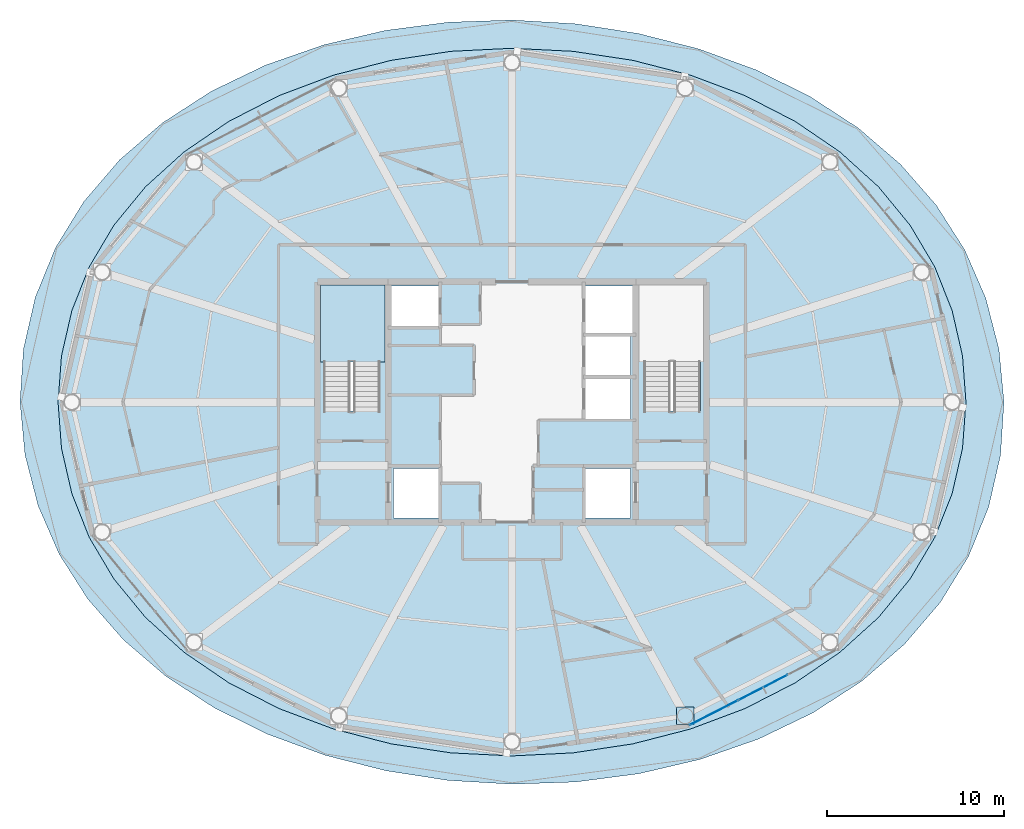
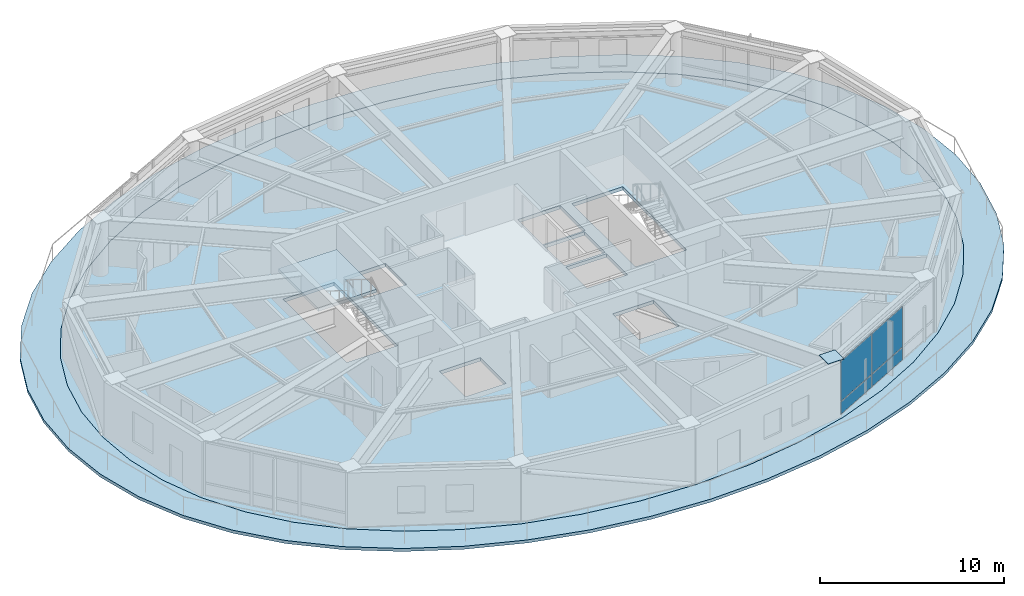
# One storey, part 16 of 24: 5 plates, 3 slabs, 2 elements without a shape of their own.
"""IFC4 building model written with IfcOpenShell, lengths in metres."""

from ifc_helpers import new_model, si_unit, direction, frame, origin, origin_2d, place, context, subcontext, project, spatial, polyline, rectangle, outline, extrude, material, layer, layer_set, type_object, element, aggregate, save


model = new_model("IFC4")

# Units and contexts
model_context = context("Model", 3, precision=1e-05, world=origin(), true_north=direction((0.0, 1.0)))
body_context = subcontext(model_context, "Body", "Model", "MODEL_VIEW")
ifc_project = project(units=[si_unit("LENGTHUNIT", "METRE"), si_unit("AREAUNIT", "SQUARE_METRE"), si_unit("VOLUMEUNIT", "CUBIC_METRE"), si_unit("PLANEANGLEUNIT", "RADIAN"), si_unit("MASSUNIT", "GRAM", prefix="KILO")], contexts=[model_context])

# Site, building, storey
site_placement = place(None, origin())
site = spatial("IfcSite", under=ifc_project, at=site_placement, CompositionType="ELEMENT")
building_placement = place(site_placement, origin())
building = spatial("IfcBuilding", under=site, at=building_placement, Name="Sarneth Arch Tower", CompositionType="ELEMENT")
storey_placement = place(building_placement, frame((0.0, 0.0, 312.60009765625)))
storey = spatial("IfcBuildingStorey", under=building, at=storey_placement, Name="L81", CompositionType="ELEMENT", Elevation=312.60009765625)

# Curtain wall, plates
ifc_material_1 = material(Name="Anodised aluminium Type AA25 and solar-control low-e laminated IGU", Category="aluminium")
ifc_layer_1 = layer(ifc_material_1, 0.179931640625)
ifc_layer_set_1 = layer_set([ifc_layer_1], Name="Anodised aluminium Type AA25 and solar-control low-e laminated IGU")
curtain_wall_type = type_object("IfcCurtainWallType", Name="CW-RES-HIGH", PredefinedType="NOTDEFINED", material=ifc_layer_set_1)
curtain_wall_placement = place(storey_placement, origin())
curtain_wall = element("IfcCurtainWall", 1, at=curtain_wall_placement, inside=storey, type_object=curtain_wall_type, Name="L81 Unitised curtain wall facet 14", PredefinedType="NOTDEFINED")
ifc_material_2 = material(Name="Solar-control low-e laminated IGU", Category="glass")
ifc_layer_2 = layer(ifc_material_2, 0.028076171875)
ifc_layer_set_2 = layer_set([ifc_layer_2], Name="Solar-control low-e laminated IGU")
plate_type_1 = type_object("IfcPlateType", Name="CW-PANEL", PredefinedType="CURTAIN_PANEL", material=ifc_layer_set_2)
plate_1_placement = place(storey_placement, frame((59.4208984375, 24.447021484375, 0.059814453125), z_axis=(0.0, 0.0, 1.0), x_axis=(0.890009540525, 0.455941901753, 0.0)))
plate_1 = element("IfcPlate", 2, at=plate_1_placement, type_object=plate_type_1, Name="Curtain wall glazed vision pane CW-L81-F14/P00-00", PredefinedType="CURTAIN_PANEL", context=body_context, shape_type="SweptSolid", body=[
    extrude(rectangle(XDim=3.044677734375, YDim=0.028076171875, at=origin_2d()), origin(), (0.0, 0.0, 1.0), 0.81005859375),
])
plate_2_placement = place(storey_placement, frame((59.4208984375, 24.447021484375, 0.929931640625), z_axis=(0.0, 0.0, 1.0), x_axis=(0.890009540525, 0.455941901753, 0.0)))
plate_2 = element("IfcPlate", 3, at=plate_2_placement, type_object=plate_type_1, Name="Curtain wall glazed vision pane CW-L81-F14/P00-01", PredefinedType="CURTAIN_PANEL", context=body_context, shape_type="SweptSolid", body=[
    extrude(rectangle(XDim=3.044677734375, YDim=0.028076171875, at=origin_2d()), origin(), (0.0, 0.0, 1.0), 2.64990234375),
])
plate_3_placement = place(storey_placement, frame((62.197509765625, 25.86962890625, 0.059814453125), z_axis=(0.0, 0.0, 1.0), x_axis=(0.890009540525, 0.455941901753, 0.0)))
plate_3 = element("IfcPlate", 4, at=plate_3_placement, type_object=plate_type_1, Name="Curtain wall glazed vision pane CW-L81-F14/P01-00", PredefinedType="CURTAIN_PANEL", context=body_context, shape_type="SweptSolid", body=[
    extrude(rectangle(XDim=3.07470703125, YDim=0.028076171875, at=origin_2d()), origin(), (0.0, 0.0, 1.0), 0.81005859375),
])
plate_4_placement = place(storey_placement, frame((62.197509765625, 25.86962890625, 0.929931640625), z_axis=(0.0, 0.0, 1.0), x_axis=(0.890009540525, 0.455941901753, 0.0)))
plate_4 = element("IfcPlate", 5, at=plate_4_placement, type_object=plate_type_1, Name="Curtain wall glazed vision pane CW-L81-F14/P01-01", PredefinedType="CURTAIN_PANEL", context=body_context, shape_type="SweptSolid", body=[
    extrude(rectangle(XDim=3.07470703125, YDim=0.028076171875, at=origin_2d()), origin(), (0.0, 0.0, 1.0), 2.64990234375),
])
aggregate(curtain_wall, [plate_1, plate_2, plate_3, plate_4])

# Plate
ifc_material_3 = material(Name="Steel S355", Category="steel")
ifc_layer_3 = layer(ifc_material_3, 0.0400390625)
ifc_layer_set_3 = layer_set([ifc_layer_3], Name="Steel S355")
plate_type_2 = type_object("IfcPlateType", Name="PLT-SPLICE-40", PredefinedType="SHEET", material=ifc_layer_set_3)
plate_5_placement = place(storey_placement, frame((57.790771484375, 24.261474609375, 3.6220703125), z_axis=(0.0, 0.0, 1.0), x_axis=(1.0, 0.0, 0.0)))
element("IfcPlate", 6, at=plate_5_placement, inside=storey, type_object=plate_type_2, Name="Steel end cap plate GP-2", PredefinedType="SHEET", context=body_context, shape_type="SweptSolid", body=[
    extrude(rectangle(XDim=0.97998046875, YDim=0.97998046875, at=origin_2d()), origin(), (0.0, 0.0, 1.0), 0.035888671875),
])

# Slab
ifc_material_4 = material(Name="Concrete C50/60", Category="concrete")
ifc_layer_4 = layer(ifc_material_4, 0.199951171875)
ifc_layer_set_4 = layer_set([ifc_layer_4], Name="Concrete C50/60")
slab_type_1 = type_object("IfcSlabType", Name="SLAB-BALC-200", PredefinedType="FLOOR", material=ifc_layer_set_4)
slab_1_placement = place(storey_placement, frame((0.0, 0.0, -0.2001953125)))
element("IfcSlab", 7, at=slab_1_placement, inside=storey, type_object=slab_type_1, Name="L81 Helical balcony band slab", PredefinedType="FLOOR", context=body_context, shape_type="SweptSolid", body=[
    extrude(outline(polyline([(75.8115234375, 42.0), (75.530029296875, 44.979248046875), (74.78515625, 47.867431640625), (73.593994140625, 50.60302734375), (71.9765625, 53.140869140625), (69.95556640625, 55.44873046875), (67.560546875, 57.5029296875), (64.830078125, 59.283935546875), (61.812255859375, 60.77587890625), (58.56298828125, 61.964599609375), (55.140380859375, 62.837646484375), (51.60107421875, 63.385498046875), (48.0, 63.599365234375), (44.39013671875, 63.47412109375), (40.825439453125, 63.006591796875), (37.364013671875, 62.197021484375), (34.068359375, 61.04931640625), (31.003173828125, 59.57177734375), (28.232421875, 57.778076171875), (25.81201171875, 55.68701171875), (23.78759765625, 53.323486328125), (22.193359375, 50.721923828125), (21.052978515625, 47.926025390625), (20.38232421875, 44.994873046875), (20.1884765625, 42.0), (20.469970703125, 39.020751953125), (21.21484375, 36.132568359375), (22.406005859375, 33.39697265625), (24.0234375, 30.859130859375), (26.04443359375, 28.55126953125), (28.439453125, 26.4970703125), (31.169921875, 24.716064453125), (34.187744140625, 23.22412109375), (37.43701171875, 22.035400390625), (40.859619140625, 21.162353515625), (44.39892578125, 20.614501953125), (48.0, 20.400634765625), (51.60986328125, 20.52587890625), (55.174560546875, 20.993408203125), (58.635986328125, 21.802978515625), (61.931640625, 22.95068359375), (64.996826171875, 24.42822265625), (67.767578125, 26.221923828125), (70.18798828125, 28.31298828125), (72.21240234375, 30.676513671875), (73.806640625, 33.278076171875), (74.947021484375, 36.073974609375), (75.61767578125, 39.005126953125), (75.8115234375, 42.0)]), holes=[polyline([(73.660888671875, 42.0), (73.466064453125, 44.610595703125), (72.87890625, 47.17626953125), (71.892822265625, 49.653564453125), (70.5029296875, 52.0), (68.712158203125, 54.17529296875), (66.536865234375, 56.14208984375), (64.009521484375, 57.8671875), (61.177001953125, 59.320556640625), (58.0966796875, 60.4775390625), (54.83203125, 61.318603515625), (51.44580078125, 61.828857421875), (48.0, 62.0), (44.55419921875, 61.828857421875), (41.16796875, 61.318603515625), (37.9033203125, 60.4775390625), (34.822998046875, 59.320556640625), (31.990478515625, 57.8671875), (29.463134765625, 56.14208984375), (27.287841796875, 54.17529296875), (25.4970703125, 52.0), (24.107177734375, 49.653564453125), (23.12109375, 47.17626953125), (22.533935546875, 44.610595703125), (22.339111328125, 42.0), (22.533935546875, 39.389404296875), (23.12109375, 36.82373046875), (24.107177734375, 34.346435546875), (25.4970703125, 32.0), (27.287841796875, 29.82470703125), (29.463134765625, 27.85791015625), (31.990478515625, 26.1328125), (34.822998046875, 24.679443359375), (37.9033203125, 23.5224609375), (41.16796875, 22.681396484375), (44.55419921875, 22.171142578125), (48.0, 22.0), (51.44580078125, 22.171142578125), (54.83203125, 22.681396484375), (58.0966796875, 23.5224609375), (61.177001953125, 24.679443359375), (64.009521484375, 26.1328125), (66.536865234375, 27.85791015625), (68.712158203125, 29.82470703125), (70.5029296875, 32.0), (71.892822265625, 34.346435546875), (72.87890625, 36.82373046875), (73.466064453125, 39.389404296875), (73.660888671875, 42.0)])]), origin(), (0.0, 0.0, 1.0), 0.2001953125),
])

# Stair, slab
ifc_material_5 = material(Name="Concrete C50/60", Category="concrete")
stair_type = type_object("IfcStairType", Name="STAIR-CORE-RC", PredefinedType="HALF_TURN_STAIR", material=ifc_material_5)
stair_placement = place(storey_placement, origin())
stair = element("IfcStair", 8, at=stair_placement, inside=storey, type_object=stair_type, Name="L81 Core Exit Stair 1", PredefinedType="HALF_TURN_STAIR")
ifc_material_6 = material(Name="Concrete C50/60", Category="concrete")
ifc_layer_5 = layer(ifc_material_6, 0.199951171875)
ifc_layer_set_5 = layer_set([ifc_layer_5], Name="Concrete C50/60")
slab_type_2 = type_object("IfcSlabType", Name="SLAB-LANDING-200", PredefinedType="LANDING", material=ifc_layer_set_5)
slab_2_placement = place(storey_placement, frame((0.0, 0.0, 1.75)))
slab_2 = element("IfcSlab", 9, at=slab_2_placement, type_object=slab_type_2, Name="ST-1 landing 1", PredefinedType="LANDING", context=body_context, shape_type="SweptSolid", body=[
    extrude(outline(polyline([(37.175048828125, 44.27001953125), (40.824951171875, 44.27001953125), (40.824951171875, 48.625), (37.175048828125, 48.625), (37.175048828125, 44.27001953125)])), origin(), (0.0, 0.0, 1.0), 0.199951171875),
])
aggregate(stair, [slab_2])

# Slab
ifc_material_7 = material(Name="Concrete C50/60", Category="concrete")
ifc_layer_6 = layer(ifc_material_7, 0.22998046875)
ifc_layer_set_6 = layer_set([ifc_layer_6], Name="Concrete C50/60")
slab_type_3 = type_object("IfcSlabType", Name="SLAB-TOWER-230", PredefinedType="FLOOR", material=ifc_layer_set_6)
slab_3_placement = place(storey_placement, frame((0.0, 0.0, -0.22998046875)))
element("IfcSlab", 10, at=slab_3_placement, inside=storey, type_object=slab_type_3, Name="L81 Elliptical floor slab", PredefinedType="FLOOR", context=body_context, shape_type="SweptSolid", body=[
    extrude(outline(polyline([(73.660888671875, 42.0), (73.466064453125, 44.610595703125), (72.87890625, 47.17626953125), (71.892822265625, 49.653564453125), (70.5029296875, 52.0), (68.712158203125, 54.17529296875), (66.536865234375, 56.14208984375), (64.009521484375, 57.8671875), (61.177001953125, 59.320556640625), (58.0966796875, 60.4775390625), (54.83203125, 61.318603515625), (51.44580078125, 61.828857421875), (48.0, 62.0), (44.55419921875, 61.828857421875), (41.16796875, 61.318603515625), (37.9033203125, 60.4775390625), (34.822998046875, 59.320556640625), (31.990478515625, 57.8671875), (29.463134765625, 56.14208984375), (27.287841796875, 54.17529296875), (25.4970703125, 52.0), (24.107177734375, 49.653564453125), (23.12109375, 47.17626953125), (22.533935546875, 44.610595703125), (22.339111328125, 42.0), (22.533935546875, 39.389404296875), (23.12109375, 36.82373046875), (24.107177734375, 34.346435546875), (25.4970703125, 32.0), (27.287841796875, 29.82470703125), (29.463134765625, 27.85791015625), (31.990478515625, 26.1328125), (34.822998046875, 24.679443359375), (37.9033203125, 23.5224609375), (41.16796875, 22.681396484375), (44.55419921875, 22.171142578125), (48.0, 22.0), (51.44580078125, 22.171142578125), (54.83203125, 22.681396484375), (58.0966796875, 23.5224609375), (61.177001953125, 24.679443359375), (64.009521484375, 26.1328125), (66.536865234375, 27.85791015625), (68.712158203125, 29.82470703125), (70.5029296875, 32.0), (71.892822265625, 34.346435546875), (72.87890625, 36.82373046875), (73.466064453125, 39.389404296875), (73.660888671875, 42.0)]), holes=[polyline([(37.35009765625, 41.489990234375), (40.550048828125, 41.489990234375), (40.550048828125, 48.39990234375), (37.35009765625, 48.39990234375), (37.35009765625, 41.489990234375)]), polyline([(55.449951171875, 41.489990234375), (58.64990234375, 41.489990234375), (58.64990234375, 48.39990234375), (55.449951171875, 48.39990234375), (55.449951171875, 41.489990234375)]), polyline([(41.199951171875, 46.25), (43.85009765625, 46.25), (43.85009765625, 48.550048828125), (41.199951171875, 48.550048828125), (41.199951171875, 46.25)]), polyline([(41.300048828125, 35.449951171875), (43.85009765625, 35.449951171875), (43.85009765625, 38.25), (41.300048828125, 38.25), (41.300048828125, 35.449951171875)]), polyline([(52.14990234375, 35.449951171875), (54.699951171875, 35.449951171875), (54.699951171875, 38.25), (52.14990234375, 38.25), (52.14990234375, 35.449951171875)]), polyline([(52.14990234375, 45.85009765625), (54.800048828125, 45.85009765625), (54.800048828125, 48.550048828125), (52.14990234375, 48.550048828125), (52.14990234375, 45.85009765625)]), polyline([(52.14990234375, 41.050048828125), (54.699951171875, 41.050048828125), (54.699951171875, 43.35009765625), (52.14990234375, 43.35009765625), (52.14990234375, 41.050048828125)]), polyline([(52.14990234375, 43.5), (54.699951171875, 43.5), (54.699951171875, 45.75), (52.14990234375, 45.75), (52.14990234375, 43.5)])]), origin(), (0.0, 0.0, 1.0), 0.22998046875),
])

save(model, "model.ifc")
